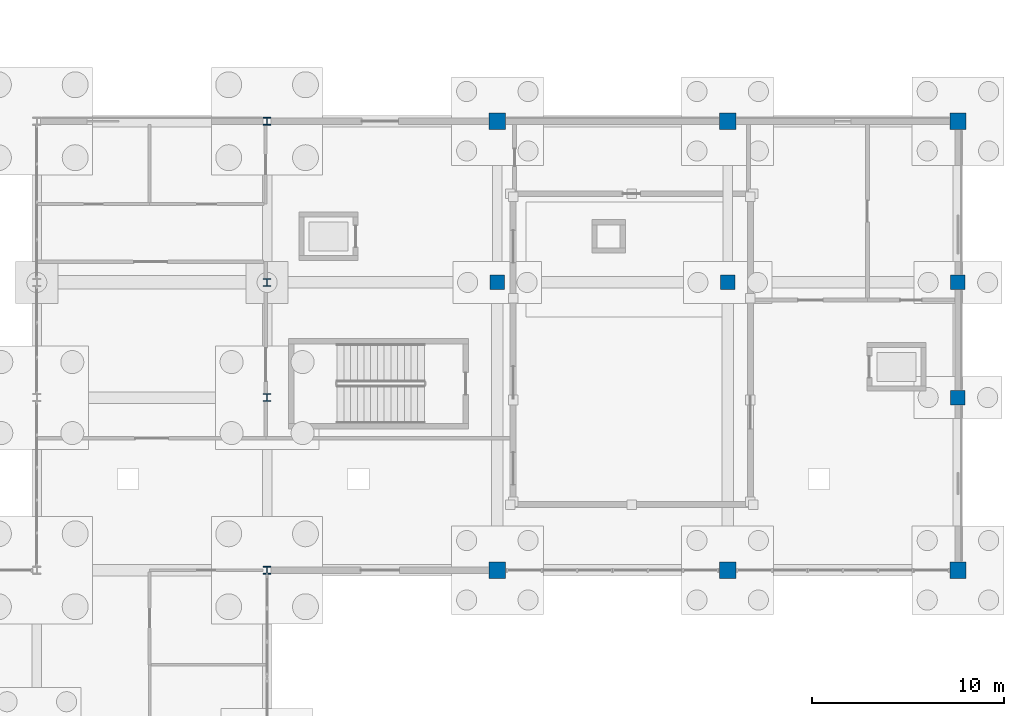
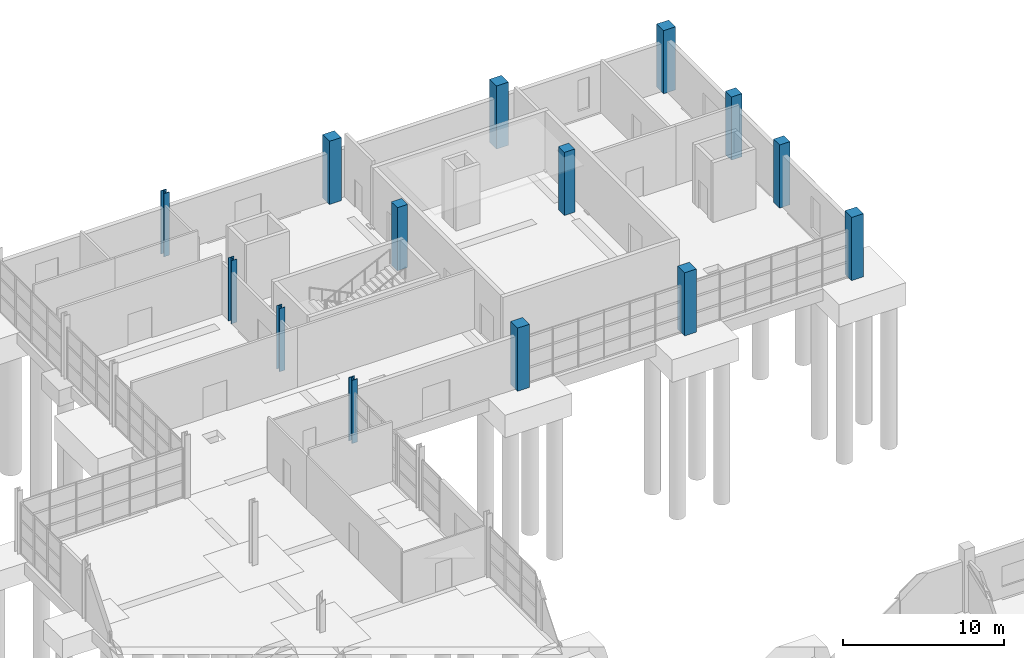
# One storey, part 16 of 82: 14 columns.
"""IFC4 building model written with IfcOpenShell, lengths in metres."""

from ifc_helpers import new_model, si_unit, direction, frame, origin, origin_2d, place, context, subcontext, project, spatial, rectangle, i_section, extrude, material, material_profile, profile_set, type_object, element, save


model = new_model("IFC4")

# Units and contexts
model_context = context("Model", 3, precision=1e-05, world=origin(), true_north=direction((0.0, 1.0)))
body_context = subcontext(model_context, "Body", "Model", "MODEL_VIEW")
ifc_project = project(units=[si_unit("LENGTHUNIT", "METRE"), si_unit("AREAUNIT", "SQUARE_METRE"), si_unit("VOLUMEUNIT", "CUBIC_METRE"), si_unit("PLANEANGLEUNIT", "RADIAN"), si_unit("MASSUNIT", "GRAM", prefix="KILO")], contexts=[model_context])

# Site, building, storey
site_placement = place(None, origin())
site = spatial("IfcSite", under=ifc_project, at=site_placement, CompositionType="ELEMENT")
building_placement = place(site_placement, origin())
building = spatial("IfcBuilding", under=site, at=building_placement, Name="Kelmvaro Bay Concert Hall", CompositionType="ELEMENT")
storey_placement = place(building_placement, origin())
storey = spatial("IfcBuildingStorey", under=building, at=storey_placement, Name="L00", CompositionType="ELEMENT", Elevation=0.0)

# Columns
ifc_material_1 = material(Name="Steel ASTM A992 Grade 50", Category="steel")
ifc_material_profile_1 = material_profile(ifc_material_1, i_section(OverallWidth=0.40087890625, OverallDepth=0.39892578125, WebThickness=0.02490234375, FlangeThickness=0.03955078125, at=origin_2d()), Name="W14X211")
ifc_profile_set_1 = profile_set([ifc_material_profile_1], Name="Steel ASTM A992 Grade 50")
column_type_1 = type_object("IfcColumnType", Name="Bridge Anchor Column W14x211", PredefinedType="COLUMN", material=ifc_profile_set_1)
for number, where, z_axis, x_axis, name in (
    (1, (132.0, 73.800048828125, 0.0), (0.0, 0.0, 1.0), (1.0, 0.0, 0.0), "L00 Column V2B-132-738"),
    (2, (132.0, 97.199951171875, 0.0), (0.0, 0.0, 1.0), (1.0, 0.0, 0.0), "L00 Column V2B-132-972"),
):
    element("IfcColumn", number, at=place(storey_placement, frame(where, z_axis=z_axis, x_axis=x_axis)), inside=storey, type_object=column_type_1, Name=name, PredefinedType="COLUMN", context=body_context, shape_type="SweptSolid", body=[
        extrude(i_section(OverallWidth=0.40087890625, OverallDepth=0.39892578125, WebThickness=0.02490234375, FlangeThickness=0.03955078125, at=origin_2d()), origin(), (0.0, 0.0, 1.0), 4.800048828125),
    ])
ifc_material_2 = material(Name="Steel ASTM A992 Grade 50", Category="steel")
ifc_material_profile_2 = material_profile(ifc_material_2, i_section(OverallWidth=0.40087890625, OverallDepth=0.39404296875, WebThickness=0.022705078125, FlangeThickness=0.03662109375, at=origin_2d()), Name="W14X193")
ifc_profile_set_2 = profile_set([ifc_material_profile_2], Name="Steel ASTM A992 Grade 50")
column_type_2 = type_object("IfcColumnType", Name="Bridge Support Column W14x193", PredefinedType="COLUMN", material=ifc_profile_set_2)
for number, where, z_axis, x_axis, name in (
    (3, (132.0, 82.800048828125, 0.0), (0.0, 0.0, 1.0), (1.0, 0.0, 0.0), "L00 Column V2B-132-828"),
    (4, (132.0, 88.800048828125, 0.0), (0.0, 0.0, 1.0), (1.0, 0.0, 0.0), "L00 Column V2B-132-888"),
):
    element("IfcColumn", number, at=place(storey_placement, frame(where, z_axis=z_axis, x_axis=x_axis)), inside=storey, type_object=column_type_2, Name=name, PredefinedType="COLUMN", context=body_context, shape_type="SweptSolid", body=[
        extrude(i_section(OverallWidth=0.40087890625, OverallDepth=0.39404296875, WebThickness=0.022705078125, FlangeThickness=0.03662109375, at=origin_2d()), origin(), (0.0, 0.0, 1.0), 4.800048828125),
    ])
ifc_material_3 = material(Name="Concrete C40/50", Category="concrete")
ifc_material_profile_3 = material_profile(ifc_material_3, rectangle(XDim=0.85009765625, YDim=0.85009765625, at=origin_2d()), Name="RC-COL-850X850")
ifc_profile_set_3 = profile_set([ifc_material_profile_3], Name="Concrete C40/50")
column_type_3 = type_object("IfcColumnType", Name="Chamber Lower Column RC850x850", PredefinedType="COLUMN", material=ifc_profile_set_3)
for number, where, z_axis, x_axis, name in (
    (5, (144.0, 73.800048828125, 0.0), (0.0, 0.0, 1.0), (1.0, 0.0, 0.0), "L00 Column V2P-144-738"),
    (6, (144.0, 97.199951171875, 0.0), (0.0, 0.0, 1.0), (1.0, 0.0, 0.0), "L00 Column V2P-144-972"),
    (7, (156.0, 73.800048828125, 0.0), (0.0, 0.0, 1.0), (1.0, 0.0, 0.0), "L00 Column V2P-156-738"),
    (8, (156.0, 97.199951171875, 0.0), (0.0, 0.0, 1.0), (1.0, 0.0, 0.0), "L00 Column V2P-156-972"),
    (9, (168.0, 73.800048828125, 0.0), (0.0, 0.0, 1.0), (1.0, 0.0, 0.0), "L00 Column V2P-168-738"),
    (10, (168.0, 97.199951171875, 0.0), (0.0, 0.0, 1.0), (1.0, 0.0, 0.0), "L00 Column V2P-168-972"),
):
    element("IfcColumn", number, at=place(storey_placement, frame(where, z_axis=z_axis, x_axis=x_axis)), inside=storey, type_object=column_type_3, Name=name, PredefinedType="COLUMN", context=body_context, shape_type="SweptSolid", body=[
        extrude(rectangle(XDim=0.85009765625, YDim=0.85009765625, at=origin_2d()), origin(), (0.0, 0.0, 1.0), 4.800048828125),
    ])
ifc_material_4 = material(Name="Concrete C40/50", Category="concrete")
ifc_material_profile_4 = material_profile(ifc_material_4, rectangle(XDim=0.75, YDim=0.75, at=origin_2d()), Name="RC-COL-750X750")
ifc_profile_set_4 = profile_set([ifc_material_profile_4], Name="Concrete C40/50")
column_type_4 = type_object("IfcColumnType", Name="Pavilion Column RC750x750", PredefinedType="COLUMN", material=ifc_profile_set_4)
for number, where, z_axis, x_axis, name in (
    (11, (144.0, 88.800048828125, 0.0), (0.0, 0.0, 1.0), (1.0, 0.0, 0.0), "L00 Column V2P-144-888"),
    (12, (156.0, 88.800048828125, 0.0), (0.0, 0.0, 1.0), (1.0, 0.0, 0.0), "L00 Column V2P-156-888"),
    (13, (168.0, 82.800048828125, 0.0), (0.0, 0.0, 1.0), (1.0, 0.0, 0.0), "L00 Column V2P-168-828"),
    (14, (168.0, 88.800048828125, 0.0), (0.0, 0.0, 1.0), (1.0, 0.0, 0.0), "L00 Column V2P-168-888"),
):
    element("IfcColumn", number, at=place(storey_placement, frame(where, z_axis=z_axis, x_axis=x_axis)), inside=storey, type_object=column_type_4, Name=name, PredefinedType="COLUMN", context=body_context, shape_type="SweptSolid", body=[
        extrude(rectangle(XDim=0.75, YDim=0.75, at=origin_2d()), origin(), (0.0, 0.0, 1.0), 4.800048828125),
    ])

save(model, "model.ifc")
